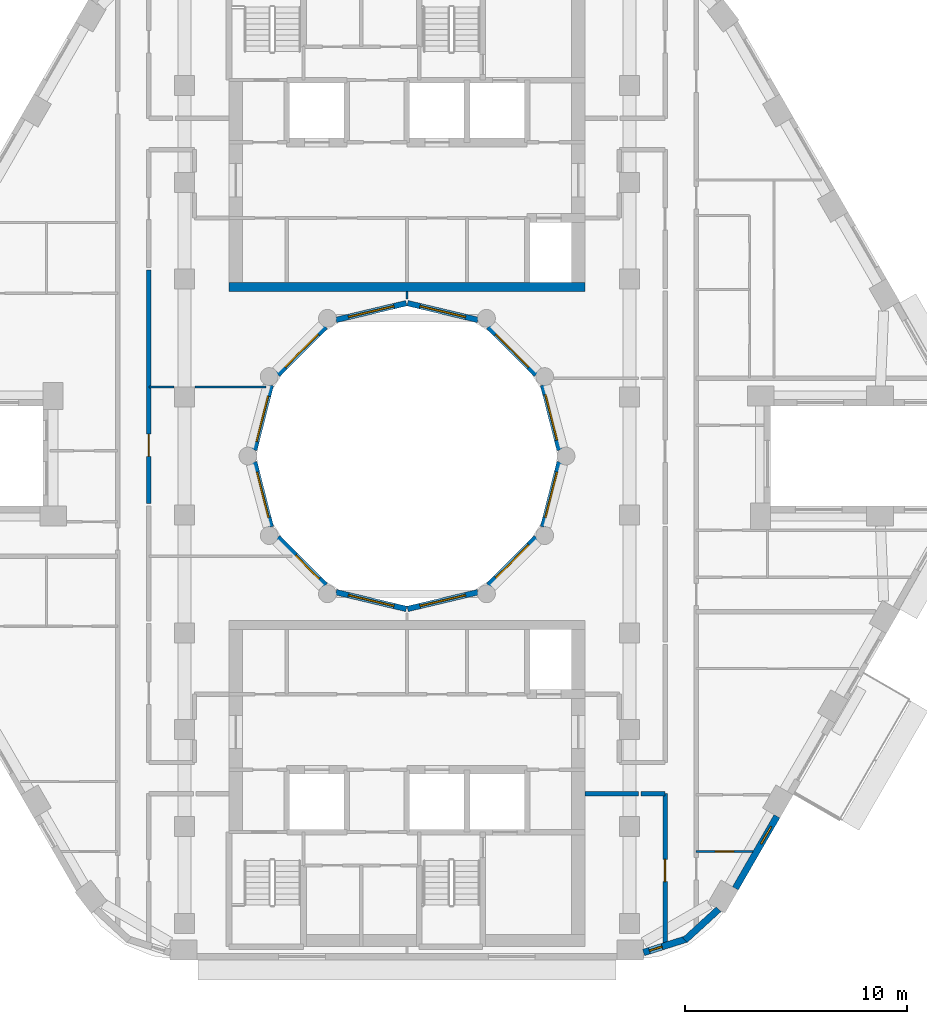
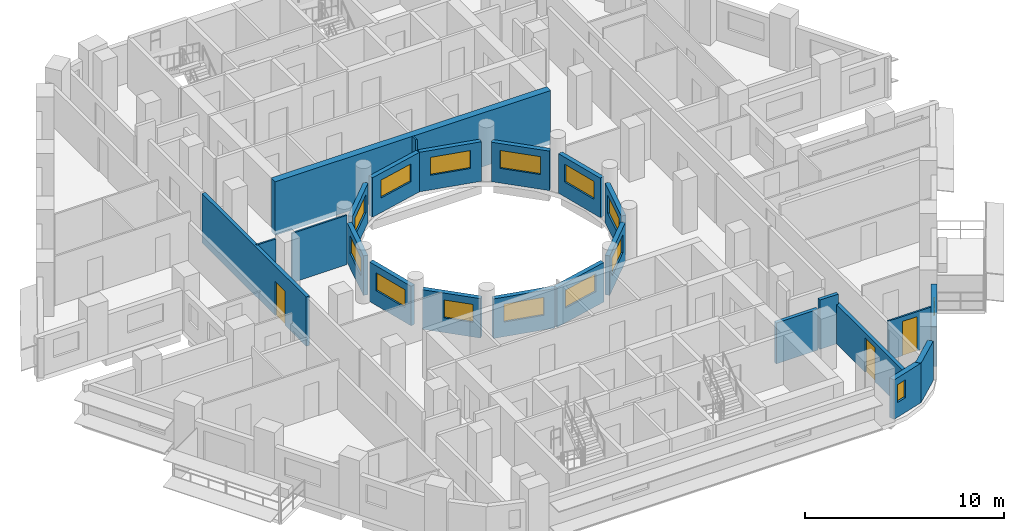
# One storey, part 5 of 16: 24 walls, 14 windows, 3 doors, 17 openings.
"""IFC4 building model written with IfcOpenShell, lengths in metres."""

from ifc_helpers import new_model, si_unit, direction, frame, frame_2d, origin, place, context, subcontext, project, spatial, rectangle, extrude, material, layer, layer_set, type_object, element, fill, save


model = new_model("IFC4")

# Units and contexts
model_context = context("Model", 3, precision=1e-05, world=origin(), true_north=direction((0.0, 1.0)))
body_context = subcontext(model_context, "Body", "Model", "MODEL_VIEW")
ifc_project = project(units=[si_unit("LENGTHUNIT", "METRE"), si_unit("AREAUNIT", "SQUARE_METRE"), si_unit("VOLUMEUNIT", "CUBIC_METRE"), si_unit("PLANEANGLEUNIT", "RADIAN"), si_unit("MASSUNIT", "GRAM", prefix="KILO")], contexts=[model_context])

# Site, building, storey
site_placement = place(None, origin())
site = spatial("IfcSite", under=ifc_project, at=site_placement, CompositionType="ELEMENT")
building_placement = place(site_placement, origin())
building = spatial("IfcBuilding", under=site, at=building_placement, Name="Nakaniwa Court", CompositionType="ELEMENT")
storey_placement = place(building_placement, frame((0.0, 0.0, 199.800048828125)))
storey = spatial("IfcBuildingStorey", under=building, at=storey_placement, Name="L52", CompositionType="ELEMENT", Elevation=199.800048828125)

# Wall, opening, door
ifc_material_1 = material(Name="Acoustic double stud partition")
ifc_layer_1 = layer(ifc_material_1, 0.199951171875)
ifc_layer_set_1 = layer_set([ifc_layer_1], Name="Acoustic double stud partition")
wall_type_1 = type_object("IfcWallType", Name="Acoustic double stud partition 200", PredefinedType="PARTITIONING", material=ifc_layer_set_1)
wall_1_placement = place(storey_placement, frame((91.60009765625, 57.92626953125, 0.0), z_axis=(0.0, 0.0, 1.0), x_axis=(0.0, 1.0, 0.0)))
wall_1 = element("IfcWall", 1, at=wall_1_placement, inside=storey, type_object=wall_type_1, Name="Partition PW-069", PredefinedType="PARTITIONING", context=body_context, shape_type="SweptSolid", body=[
    extrude(rectangle(XDim=6.898681640625, YDim=0.199951171875, at=frame_2d((3.44921875, 0.0))), origin(), (0.0, 0.0, 1.0), 2.405029296875),
])
opening_1_placement = place(wall_1_placement, frame((2.948974609375, 0.0, 0.0)))
opening_1 = element("IfcOpeningElement", 2, at=opening_1_placement, cuts=wall_1, Name="Opening D-02-01", PredefinedType="OPENING", context=body_context, shape_type="SweptSolid", body=[
    extrude(rectangle(XDim=1.0, YDim=2.10009765625, at=frame_2d((0.5, 1.050048828125))), frame((0.0, 0.10986328125, 0.0), z_axis=(0.0, -1.0, 0.0), x_axis=(1.0, 0.0, 0.0)), (0.0, 0.0, 1.0), 0.219970703125),
])
ifc_material_2 = material(Name="Solid core timber door set, black veneer", Category="wood")
door_type_1 = type_object("IfcDoorType", Name="Internal door 1000", OperationType="NOTDEFINED", PredefinedType="DOOR", material=ifc_material_2)
door_1_placement = place(opening_1_placement, origin())
door_1 = element("IfcDoor", 3, at=door_1_placement, inside=storey, type_object=door_type_1, Name="Door D-02-01 L52-025", OperationType="SINGLE_SWING_RIGHT", OverallHeight=2.10009765625, OverallWidth=1.0, PredefinedType="DOOR", context=body_context, shape_type="SweptSolid", body=[
    extrude(rectangle(XDim=1.0, YDim=2.10009765625, at=frame_2d((0.5, 1.050048828125))), frame((0.0, 0.02490234375, 0.0), z_axis=(0.0, -1.0, 0.0), x_axis=(1.0, 0.0, 0.0)), (0.0, 0.0, 1.0), 0.050048828125),
])
fill(opening_1, door_1)

# Walls
wall_2_placement = place(storey_placement, frame((88.0, 64.824951171875, 0.0), z_axis=(0.0, 0.0, 1.0), x_axis=(1.0, 0.0, 0.0)))
element("IfcWall", 4, at=wall_2_placement, inside=storey, type_object=wall_type_1, Name="Partition PW-077", PredefinedType="PARTITIONING", context=body_context, shape_type="SweptSolid", body=[
    extrude(rectangle(XDim=2.412841796875, YDim=0.199951171875, at=frame_2d((1.20654296875, 0.0))), origin(), (0.0, 0.0, 1.0), 2.5048828125),
])
wall_3_placement = place(storey_placement, frame((90.527099609375, 64.824951171875, 0.0), z_axis=(0.0, 0.0, 1.0), x_axis=(1.0, 0.0, 0.0)))
element("IfcWall", 5, at=wall_3_placement, inside=storey, type_object=wall_type_1, Name="Partition PW-078", PredefinedType="PARTITIONING", context=body_context, shape_type="SweptSolid", body=[
    extrude(rectangle(XDim=1.072998046875, YDim=0.199951171875, at=frame_2d((0.53662109375, 0.0))), origin(), (0.0, 0.0, 1.0), 3.02490234375),
])

# Wall, opening, door
wall_4_placement = place(storey_placement, frame((68.39990234375, 88.36279296875, 0.0), z_axis=(0.0, 0.0, 1.0), x_axis=(0.0, -1.0, 0.0)))
wall_4 = element("IfcWall", 6, at=wall_4_placement, inside=storey, type_object=wall_type_1, Name="Partition PW-099", PredefinedType="PARTITIONING", context=body_context, shape_type="SweptSolid", body=[
    extrude(rectangle(XDim=10.485595703125, YDim=0.199951171875, at=frame_2d((5.24267578125, 0.0))), origin(), (0.0, 0.0, 1.0), 3.02490234375),
])
opening_2_placement = place(wall_4_placement, frame((7.373046875, 0.0, 0.0)))
opening_2 = element("IfcOpeningElement", 7, at=opening_2_placement, cuts=wall_4, Name="Opening D-02-09", PredefinedType="OPENING", context=body_context, shape_type="SweptSolid", body=[
    extrude(rectangle(XDim=1.0, YDim=2.10009765625, at=frame_2d((0.5, 1.050048828125))), frame((0.0, 0.10986328125, 0.0), z_axis=(0.0, -1.0, 0.0), x_axis=(1.0, 0.0, 0.0)), (0.0, 0.0, 1.0), 0.219970703125),
])
door_2_placement = place(opening_2_placement, origin())
door_2 = element("IfcDoor", 8, at=door_2_placement, inside=storey, type_object=door_type_1, Name="Door D-02-09 L52-056", OperationType="SINGLE_SWING_LEFT", OverallHeight=2.10009765625, OverallWidth=1.0, PredefinedType="DOOR", context=body_context, shape_type="SweptSolid", body=[
    extrude(rectangle(XDim=1.0, YDim=2.10009765625, at=frame_2d((0.5, 1.050048828125))), frame((0.0, 0.02490234375, 0.0), z_axis=(0.0, -1.0, 0.0), x_axis=(1.0, 0.0, 0.0)), (0.0, 0.0, 1.0), 0.050048828125),
])
fill(opening_2, door_2)

# Wall, opening, window
ifc_material_3 = material(Name="Charcoal ceramic cladding")
ifc_layer_2 = layer(ifc_material_3, 0.02, Name="Ceramic cladding")
ifc_material_4 = material(Name="Ventilated air cavity")
ifc_layer_3 = layer(ifc_material_4, 0.04, ventilated=True, Name="Ventilated cavity")
ifc_material_5 = material(Name="Mineral wool insulation")
ifc_layer_4 = layer(ifc_material_5, 0.1, Name="Insulation")
ifc_material_6 = material(Name="Cement bonded sheathing board")
ifc_layer_5 = layer(ifc_material_6, 0.012, Name="Sheathing")
ifc_material_7 = material(Name="Cold-formed galvanised stud frame with mineral wool infill")
ifc_layer_6 = layer(ifc_material_7, 0.1, Name="Stud frame")
ifc_material_8 = material(Name="Fire-rated gypsum plasterboard lining")
ifc_layer_7 = layer(ifc_material_8, 0.028, Name="Lining")
ifc_layer_set_2 = layer_set([ifc_layer_2, ifc_layer_3, ifc_layer_4, ifc_layer_5, ifc_layer_6, ifc_layer_7], Name="Charcoal ceramic faced external wall system")
wall_type_2 = type_object("IfcWallType", Name="Black ceramic faced external wall 300", PredefinedType="SOLIDWALL", material=ifc_layer_set_2)
wall_5_placement = place(storey_placement, frame((90.6357421875, 57.684814453125, 0.0), z_axis=(0.0, 0.0, 1.0), x_axis=(0.95368324118, 0.300812691707, 0.0)))
wall_5 = element("IfcWall", 9, at=wall_5_placement, inside=storey, type_object=wall_type_2, Name="L52 external wall 27", PredefinedType="SOLIDWALL", context=body_context, shape_type="SweptSolid", body=[
    extrude(rectangle(XDim=2.053466796875, YDim=0.300048828125, at=frame_2d((1.02685546875, 0.0))), origin(), (0.0, 0.0, 1.0), 2.425048828125),
])
opening_3_placement = place(wall_5_placement, frame((0.271240234375, 0.0, 0.89990234375)))
opening_3 = element("IfcOpeningElement", 10, at=opening_3_placement, cuts=wall_5, Name="Opening W8.28", PredefinedType="OPENING", context=body_context, shape_type="SweptSolid", body=[
    extrude(rectangle(XDim=0.60009765625, YDim=1.10009765625, at=frame_2d((0.300048828125, 0.550048828125))), frame((0.0, 0.159912109375, 0.0), z_axis=(0.0, -1.0, 0.0), x_axis=(1.0, 0.0, 0.0)), (0.0, 0.0, 1.0), 0.320068359375),
])
ifc_material_9 = material(Name="Black anodised aluminium frame with dark low-E laminated double glazing", Category="aluminium")
window_type_1 = type_object("IfcWindowType", Name="Dark glass window 600x1100 sill 900", PartitioningType="SINGLE_PANEL", PredefinedType="WINDOW", material=ifc_material_9)
window_1_placement = place(opening_3_placement, origin())
window_1 = element("IfcWindow", 11, at=window_1_placement, inside=storey, type_object=window_type_1, Name="L52 habitable room window 27-0", OverallHeight=1.10009765625, OverallWidth=0.60009765625, PartitioningType="SINGLE_PANEL", PredefinedType="WINDOW", context=body_context, shape_type="SweptSolid", body=[
    extrude(rectangle(XDim=0.60009765625, YDim=1.10009765625, at=frame_2d((0.300048828125, 0.550048828125))), frame((0.0, 0.030029296875, 0.0), z_axis=(0.0, -1.0, 0.0), x_axis=(1.0, 0.0, 0.0)), (0.0, 0.0, 1.0), 0.06005859375),
])
fill(opening_3, window_1)

# Wall
wall_6_placement = place(storey_placement, frame((92.494140625, 58.243896484375, 0.0), z_axis=(0.0, 0.0, 1.0), x_axis=(0.73764876128, 0.675184645102, 0.0)))
element("IfcWall", 12, at=wall_6_placement, inside=storey, type_object=wall_type_2, Name="L52 external wall 28", PredefinedType="SOLIDWALL", context=body_context, shape_type="SweptSolid", body=[
    extrude(rectangle(XDim=2.048095703125, YDim=0.300048828125, at=frame_2d((1.02392578125, 0.0))), origin(), (0.0, 0.0, 1.0), 2.425048828125),
])

# Wall, opening, window
wall_7_placement = place(storey_placement, frame((94.760986328125, 60.566650390625, 0.0), z_axis=(0.0, 0.0, 1.0), x_axis=(0.499982088007, 0.866035745032, 0.0)))
wall_7 = element("IfcWall", 13, at=wall_7_placement, inside=storey, type_object=wall_type_2, Name="L52 external wall 29", PredefinedType="SOLIDWALL", context=body_context, shape_type="SweptSolid", body=[
    extrude(rectangle(XDim=3.744384765625, YDim=0.300048828125, at=frame_2d((1.8720703125, 0.0))), origin(), (0.0, 0.0, 1.0), 2.425048828125),
])
opening_4_placement = place(wall_7_placement, frame((2.318603515625, 0.0, 1.5)))
opening_4 = element("IfcOpeningElement", 14, at=opening_4_placement, cuts=wall_7, Name="Opening W10.29", PredefinedType="OPENING", context=body_context, shape_type="SweptSolid", body=[
    extrude(rectangle(XDim=0.89990234375, YDim=0.5, at=frame_2d((0.449951171875, 0.25))), frame((0.0, 0.159912109375, 0.0), z_axis=(0.0, -1.0, 0.0), x_axis=(1.0, 0.0, 0.0)), (0.0, 0.0, 1.0), 0.320068359375),
])
window_type_2 = type_object("IfcWindowType", Name="Dark glass window 900x500 sill 1500", PartitioningType="SINGLE_PANEL", PredefinedType="WINDOW", material=ifc_material_9)
window_2_placement = place(opening_4_placement, origin())
window_2 = element("IfcWindow", 15, at=window_2_placement, inside=storey, type_object=window_type_2, Name="L52 bathroom window 29-1", OverallHeight=0.5, OverallWidth=0.89990234375, PartitioningType="SINGLE_PANEL", PredefinedType="WINDOW", context=body_context, shape_type="SweptSolid", body=[
    extrude(rectangle(XDim=0.89990234375, YDim=0.5, at=frame_2d((0.449951171875, 0.25))), frame((0.0, 0.030029296875, 0.0), z_axis=(0.0, -1.0, 0.0), x_axis=(1.0, 0.0, 0.0)), (0.0, 0.0, 1.0), 0.06005859375),
])
fill(opening_4, window_2)

ifc_layer_8 = layer(ifc_material_3, 0.02, Name="Ceramic cladding")
ifc_layer_9 = layer(ifc_material_4, 0.04, ventilated=True, Name="Ventilated cavity")
ifc_layer_10 = layer(ifc_material_5, 0.075, Name="Insulation")
ifc_layer_11 = layer(ifc_material_6, 0.012, Name="Sheathing")
ifc_layer_12 = layer(ifc_material_7, 0.075, Name="Stud frame")
ifc_layer_13 = layer(ifc_material_8, 0.028, Name="Lining")
ifc_layer_set_3 = layer_set([ifc_layer_8, ifc_layer_9, ifc_layer_10, ifc_layer_11, ifc_layer_12, ifc_layer_13], Name="Charcoal ceramic faced external wall system")
wall_type_3 = type_object("IfcWallType", Name="Charcoal ceramic faced well wall 250", PredefinedType="SOLIDWALL", material=ifc_layer_set_3)
wall_8_placement = place(storey_placement, frame((86.8603515625, 79.72998046875, 0.0), z_axis=(0.0, 0.0, 1.0), x_axis=(-0.247055971283, -0.969001211069, 0.0)))
wall_8 = element("IfcWall", 16, at=wall_8_placement, inside=storey, type_object=wall_type_3, Name="L52 external wall 36", PredefinedType="SOLIDWALL", context=body_context, shape_type="SweptSolid", body=[
    extrude(rectangle(XDim=3.010009765625, YDim=0.25, at=frame_2d((1.5048828125, 0.0))), origin(), (0.0, 0.0, 1.0), 2.425048828125),
])
opening_5_placement = place(wall_8_placement, frame((0.46875, 0.0, 0.89990234375)))
opening_5 = element("IfcOpeningElement", 17, at=opening_5_placement, cuts=wall_8, Name="Opening W7.36", PredefinedType="OPENING", context=body_context, shape_type="SweptSolid", body=[
    extrude(rectangle(XDim=2.10009765625, YDim=1.10009765625, at=frame_2d((1.050048828125, 0.550048828125))), frame((0.0, 0.135009765625, 0.0), z_axis=(0.0, -1.0, 0.0), x_axis=(1.0, 0.0, 0.0)), (0.0, 0.0, 1.0), 0.27001953125),
])
window_type_3 = type_object("IfcWindowType", Name="Dark glass window 2100x1100 sill 900", PartitioningType="SINGLE_PANEL", PredefinedType="WINDOW", material=ifc_material_9)
window_3_placement = place(opening_5_placement, origin())
window_3 = element("IfcWindow", 18, at=window_3_placement, inside=storey, type_object=window_type_3, Name="L52 habitable room window 36-0", OverallHeight=1.10009765625, OverallWidth=2.10009765625, PartitioningType="SINGLE_PANEL", PredefinedType="WINDOW", context=body_context, shape_type="SweptSolid", body=[
    extrude(rectangle(XDim=2.10009765625, YDim=1.10009765625, at=frame_2d((1.050048828125, 0.550048828125))), frame((0.0, 0.030029296875, 0.0), z_axis=(0.0, -1.0, 0.0), x_axis=(1.0, 0.0, 0.0)), (0.0, 0.0, 1.0), 0.06005859375),
])
fill(opening_5, window_3)

wall_9_placement = place(storey_placement, frame((85.8056640625, 76.339111328125, 0.0), z_axis=(0.0, 0.0, 1.0), x_axis=(-0.707106781187, -0.707106781187, 0.0)))
wall_9 = element("IfcWall", 19, at=wall_9_placement, inside=storey, type_object=wall_type_3, Name="L52 external wall 37", PredefinedType="SOLIDWALL", context=body_context, shape_type="SweptSolid", body=[
    extrude(rectangle(XDim=3.033203125, YDim=0.25, at=frame_2d((1.5166015625, 0.0))), origin(), (0.0, 0.0, 1.0), 2.425048828125),
])
opening_6_placement = place(wall_9_placement, frame((0.466552734375, 0.0, 0.89990234375)))
opening_6 = element("IfcOpeningElement", 20, at=opening_6_placement, cuts=wall_9, Name="Opening W7.37", PredefinedType="OPENING", context=body_context, shape_type="SweptSolid", body=[
    extrude(rectangle(XDim=2.10009765625, YDim=1.10009765625, at=frame_2d((1.050048828125, 0.550048828125))), frame((0.0, 0.135009765625, 0.0), z_axis=(0.0, -1.0, 0.0), x_axis=(1.0, 0.0, 0.0)), (0.0, 0.0, 1.0), 0.27001953125),
])
window_4_placement = place(opening_6_placement, origin())
window_4 = element("IfcWindow", 21, at=window_4_placement, inside=storey, type_object=window_type_3, Name="L52 habitable room window 37-0", OverallHeight=1.10009765625, OverallWidth=2.10009765625, PartitioningType="SINGLE_PANEL", PredefinedType="WINDOW", context=body_context, shape_type="SweptSolid", body=[
    extrude(rectangle(XDim=2.10009765625, YDim=1.10009765625, at=frame_2d((1.050048828125, 0.550048828125))), frame((0.0, 0.030029296875, 0.0), z_axis=(0.0, -1.0, 0.0), x_axis=(1.0, 0.0, 0.0)), (0.0, 0.0, 1.0), 0.06005859375),
])
fill(opening_6, window_4)

wall_10_placement = place(storey_placement, frame((83.186279296875, 73.880615234375, 0.0), z_axis=(0.0, 0.0, 1.0), x_axis=(-0.972773113459, -0.231759508395, 0.0)))
wall_10 = element("IfcWall", 22, at=wall_10_placement, inside=storey, type_object=wall_type_3, Name="L52 external wall 38", PredefinedType="SOLIDWALL", context=body_context, shape_type="SweptSolid", body=[
    extrude(rectangle(XDim=3.24560546875, YDim=0.25, at=frame_2d((1.622802734375, 0.0))), origin(), (0.0, 0.0, 1.0), 2.425048828125),
])
opening_7_placement = place(wall_10_placement, frame((0.57275390625, 0.0, 0.89990234375)))
opening_7 = element("IfcOpeningElement", 23, at=opening_7_placement, cuts=wall_10, Name="Opening W7.38", PredefinedType="OPENING", context=body_context, shape_type="SweptSolid", body=[
    extrude(rectangle(XDim=2.10009765625, YDim=1.10009765625, at=frame_2d((1.050048828125, 0.550048828125))), frame((0.0, 0.135009765625, 0.0), z_axis=(0.0, -1.0, 0.0), x_axis=(1.0, 0.0, 0.0)), (0.0, 0.0, 1.0), 0.27001953125),
])
window_5_placement = place(opening_7_placement, origin())
window_5 = element("IfcWindow", 24, at=window_5_placement, inside=storey, type_object=window_type_3, Name="L52 habitable room window 38-0", OverallHeight=1.10009765625, OverallWidth=2.10009765625, PartitioningType="SINGLE_PANEL", PredefinedType="WINDOW", context=body_context, shape_type="SweptSolid", body=[
    extrude(rectangle(XDim=2.10009765625, YDim=1.10009765625, at=frame_2d((1.050048828125, 0.550048828125))), frame((0.0, 0.030029296875, 0.0), z_axis=(0.0, -1.0, 0.0), x_axis=(1.0, 0.0, 0.0)), (0.0, 0.0, 1.0), 0.06005859375),
])
fill(opening_7, window_5)

wall_11_placement = place(storey_placement, frame((79.970947265625, 73.12841796875, 0.0), z_axis=(0.0, 0.0, 1.0), x_axis=(-0.972773113459, 0.231759508395, 0.0)))
wall_11 = element("IfcWall", 25, at=wall_11_placement, inside=storey, type_object=wall_type_3, Name="L52 external wall 39", PredefinedType="SOLIDWALL", context=body_context, shape_type="SweptSolid", body=[
    extrude(rectangle(XDim=3.24560546875, YDim=0.25, at=frame_2d((1.622802734375, 0.0))), origin(), (0.0, 0.0, 1.0), 2.425048828125),
])
opening_8_placement = place(wall_11_placement, frame((0.57275390625, 0.0, 0.89990234375)))
opening_8 = element("IfcOpeningElement", 26, at=opening_8_placement, cuts=wall_11, Name="Opening W7.39", PredefinedType="OPENING", context=body_context, shape_type="SweptSolid", body=[
    extrude(rectangle(XDim=2.10009765625, YDim=1.10009765625, at=frame_2d((1.050048828125, 0.550048828125))), frame((0.0, 0.135009765625, 0.0), z_axis=(0.0, -1.0, 0.0), x_axis=(1.0, 0.0, 0.0)), (0.0, 0.0, 1.0), 0.27001953125),
])
window_6_placement = place(opening_8_placement, origin())
window_6 = element("IfcWindow", 27, at=window_6_placement, inside=storey, type_object=window_type_3, Name="L52 habitable room window 39-0", OverallHeight=1.10009765625, OverallWidth=2.10009765625, PartitioningType="SINGLE_PANEL", PredefinedType="WINDOW", context=body_context, shape_type="SweptSolid", body=[
    extrude(rectangle(XDim=2.10009765625, YDim=1.10009765625, at=frame_2d((1.050048828125, 0.550048828125))), frame((0.0, 0.030029296875, 0.0), z_axis=(0.0, -1.0, 0.0), x_axis=(1.0, 0.0, 0.0)), (0.0, 0.0, 1.0), 0.06005859375),
])
fill(opening_8, window_6)

wall_12_placement = place(storey_placement, frame((76.339111328125, 74.1943359375, 0.0), z_axis=(0.0, 0.0, 1.0), x_axis=(-0.707106781187, 0.707106781187, 0.0)))
wall_12 = element("IfcWall", 28, at=wall_12_placement, inside=storey, type_object=wall_type_3, Name="L52 external wall 40", PredefinedType="SOLIDWALL", context=body_context, shape_type="SweptSolid", body=[
    extrude(rectangle(XDim=3.033203125, YDim=0.25, at=frame_2d((1.5166015625, 0.0))), origin(), (0.0, 0.0, 1.0), 2.425048828125),
])
opening_9_placement = place(wall_12_placement, frame((0.398681640625, 0.0, 0.89990234375)))
opening_9 = element("IfcOpeningElement", 29, at=opening_9_placement, cuts=wall_12, Name="Opening W5.40", PredefinedType="OPENING", context=body_context, shape_type="SweptSolid", body=[
    extrude(rectangle(XDim=1.5, YDim=1.10009765625, at=frame_2d((0.75, 0.550048828125))), frame((0.0, 0.135009765625, 0.0), z_axis=(0.0, -1.0, 0.0), x_axis=(1.0, 0.0, 0.0)), (0.0, 0.0, 1.0), 0.27001953125),
])
window_type_4 = type_object("IfcWindowType", Name="Dark glass window 1500x1100 sill 900", PartitioningType="SINGLE_PANEL", PredefinedType="WINDOW", material=ifc_material_9)
window_7_placement = place(opening_9_placement, origin())
window_7 = element("IfcWindow", 30, at=window_7_placement, inside=storey, type_object=window_type_4, Name="L52 habitable room window 40-0", OverallHeight=1.10009765625, OverallWidth=1.5, PartitioningType="SINGLE_PANEL", PredefinedType="WINDOW", context=body_context, shape_type="SweptSolid", body=[
    extrude(rectangle(XDim=1.5, YDim=1.10009765625, at=frame_2d((0.75, 0.550048828125))), frame((0.0, 0.030029296875, 0.0), z_axis=(0.0, -1.0, 0.0), x_axis=(1.0, 0.0, 0.0)), (0.0, 0.0, 1.0), 0.06005859375),
])
fill(opening_9, window_7)

wall_13_placement = place(storey_placement, frame((73.88330078125, 76.813232421875, 0.0), z_axis=(0.0, 0.0, 1.0), x_axis=(-0.247055971283, 0.969001211069, 0.0)))
wall_13 = element("IfcWall", 31, at=wall_13_placement, inside=storey, type_object=wall_type_3, Name="L52 external wall 41", PredefinedType="SOLIDWALL", context=body_context, shape_type="SweptSolid", body=[
    extrude(rectangle(XDim=3.010009765625, YDim=0.25, at=frame_2d((1.5048828125, 0.0))), origin(), (0.0, 0.0, 1.0), 2.425048828125),
])
opening_10_placement = place(wall_13_placement, frame((0.441162109375, 0.0, 0.89990234375)))
opening_10 = element("IfcOpeningElement", 32, at=opening_10_placement, cuts=wall_13, Name="Opening W7.41", PredefinedType="OPENING", context=body_context, shape_type="SweptSolid", body=[
    extrude(rectangle(XDim=2.10009765625, YDim=1.10009765625, at=frame_2d((1.050048828125, 0.550048828125))), frame((0.0, 0.135009765625, 0.0), z_axis=(0.0, -1.0, 0.0), x_axis=(1.0, 0.0, 0.0)), (0.0, 0.0, 1.0), 0.27001953125),
])
window_8_placement = place(opening_10_placement, origin())
window_8 = element("IfcWindow", 33, at=window_8_placement, inside=storey, type_object=window_type_3, Name="L52 habitable room window 41-0", OverallHeight=1.10009765625, OverallWidth=2.10009765625, PartitioningType="SINGLE_PANEL", PredefinedType="WINDOW", context=body_context, shape_type="SweptSolid", body=[
    extrude(rectangle(XDim=2.10009765625, YDim=1.10009765625, at=frame_2d((1.050048828125, 0.550048828125))), frame((0.0, 0.030029296875, 0.0), z_axis=(0.0, -1.0, 0.0), x_axis=(1.0, 0.0, 0.0)), (0.0, 0.0, 1.0), 0.06005859375),
])
fill(opening_10, window_8)

wall_14_placement = place(storey_placement, frame((73.1396484375, 80.27001953125, 0.0), z_axis=(0.0, 0.0, 1.0), x_axis=(0.247055971283, 0.969001211069, 0.0)))
wall_14 = element("IfcWall", 34, at=wall_14_placement, inside=storey, type_object=wall_type_3, Name="L52 external wall 42", PredefinedType="SOLIDWALL", context=body_context, shape_type="SweptSolid", body=[
    extrude(rectangle(XDim=3.010009765625, YDim=0.25, at=frame_2d((1.5048828125, 0.0))), origin(), (0.0, 0.0, 1.0), 2.425048828125),
])
opening_11_placement = place(wall_14_placement, frame((0.400634765625, 0.0, 0.89990234375)))
opening_11 = element("IfcOpeningElement", 35, at=opening_11_placement, cuts=wall_14, Name="Opening W7.42", PredefinedType="OPENING", context=body_context, shape_type="SweptSolid", body=[
    extrude(rectangle(XDim=2.10009765625, YDim=1.10009765625, at=frame_2d((1.050048828125, 0.550048828125))), frame((0.0, 0.135009765625, 0.0), z_axis=(0.0, -1.0, 0.0), x_axis=(1.0, 0.0, 0.0)), (0.0, 0.0, 1.0), 0.27001953125),
])
window_9_placement = place(opening_11_placement, origin())
window_9 = element("IfcWindow", 36, at=window_9_placement, inside=storey, type_object=window_type_3, Name="L52 habitable room window 42-0", OverallHeight=1.10009765625, OverallWidth=2.10009765625, PartitioningType="SINGLE_PANEL", PredefinedType="WINDOW", context=body_context, shape_type="SweptSolid", body=[
    extrude(rectangle(XDim=2.10009765625, YDim=1.10009765625, at=frame_2d((1.050048828125, 0.550048828125))), frame((0.0, 0.030029296875, 0.0), z_axis=(0.0, -1.0, 0.0), x_axis=(1.0, 0.0, 0.0)), (0.0, 0.0, 1.0), 0.06005859375),
])
fill(opening_11, window_9)

wall_15_placement = place(storey_placement, frame((74.1943359375, 83.660888671875, 0.0), z_axis=(0.0, 0.0, 1.0), x_axis=(0.707106781187, 0.707106781187, 0.0)))
wall_15 = element("IfcWall", 37, at=wall_15_placement, inside=storey, type_object=wall_type_3, Name="L52 external wall 43", PredefinedType="SOLIDWALL", context=body_context, shape_type="SweptSolid", body=[
    extrude(rectangle(XDim=3.033203125, YDim=0.25, at=frame_2d((1.5166015625, 0.0))), origin(), (0.0, 0.0, 1.0), 2.425048828125),
])
opening_12_placement = place(wall_15_placement, frame((0.466552734375, 0.0, 0.89990234375)))
opening_12 = element("IfcOpeningElement", 38, at=opening_12_placement, cuts=wall_15, Name="Opening W7.43", PredefinedType="OPENING", context=body_context, shape_type="SweptSolid", body=[
    extrude(rectangle(XDim=2.10009765625, YDim=1.10009765625, at=frame_2d((1.050048828125, 0.550048828125))), frame((0.0, 0.135009765625, 0.0), z_axis=(0.0, -1.0, 0.0), x_axis=(1.0, 0.0, 0.0)), (0.0, 0.0, 1.0), 0.27001953125),
])
window_10_placement = place(opening_12_placement, origin())
window_10 = element("IfcWindow", 39, at=window_10_placement, inside=storey, type_object=window_type_3, Name="L52 habitable room window 43-0", OverallHeight=1.10009765625, OverallWidth=2.10009765625, PartitioningType="SINGLE_PANEL", PredefinedType="WINDOW", context=body_context, shape_type="SweptSolid", body=[
    extrude(rectangle(XDim=2.10009765625, YDim=1.10009765625, at=frame_2d((1.050048828125, 0.550048828125))), frame((0.0, 0.030029296875, 0.0), z_axis=(0.0, -1.0, 0.0), x_axis=(1.0, 0.0, 0.0)), (0.0, 0.0, 1.0), 0.06005859375),
])
fill(opening_12, window_10)

wall_16_placement = place(storey_placement, frame((76.813720703125, 86.119384765625, 0.0), z_axis=(0.0, 0.0, 1.0), x_axis=(0.972773113459, 0.231759508395, 0.0)))
wall_16 = element("IfcWall", 40, at=wall_16_placement, inside=storey, type_object=wall_type_3, Name="L52 external wall 44", PredefinedType="SOLIDWALL", context=body_context, shape_type="SweptSolid", body=[
    extrude(rectangle(XDim=3.24560546875, YDim=0.25, at=frame_2d((1.622802734375, 0.0))), origin(), (0.0, 0.0, 1.0), 2.425048828125),
])
opening_13_placement = place(wall_16_placement, frame((0.57275390625, 0.0, 0.89990234375)))
opening_13 = element("IfcOpeningElement", 41, at=opening_13_placement, cuts=wall_16, Name="Opening W7.44", PredefinedType="OPENING", context=body_context, shape_type="SweptSolid", body=[
    extrude(rectangle(XDim=2.10009765625, YDim=1.10009765625, at=frame_2d((1.050048828125, 0.550048828125))), frame((0.0, 0.135009765625, 0.0), z_axis=(0.0, -1.0, 0.0), x_axis=(1.0, 0.0, 0.0)), (0.0, 0.0, 1.0), 0.27001953125),
])
window_11_placement = place(opening_13_placement, origin())
window_11 = element("IfcWindow", 42, at=window_11_placement, inside=storey, type_object=window_type_3, Name="L52 habitable room window 44-0", OverallHeight=1.10009765625, OverallWidth=2.10009765625, PartitioningType="SINGLE_PANEL", PredefinedType="WINDOW", context=body_context, shape_type="SweptSolid", body=[
    extrude(rectangle(XDim=2.10009765625, YDim=1.10009765625, at=frame_2d((1.050048828125, 0.550048828125))), frame((0.0, 0.030029296875, 0.0), z_axis=(0.0, -1.0, 0.0), x_axis=(1.0, 0.0, 0.0)), (0.0, 0.0, 1.0), 0.06005859375),
])
fill(opening_13, window_11)

wall_17_placement = place(storey_placement, frame((80.029052734375, 86.87158203125, 0.0), z_axis=(0.0, 0.0, 1.0), x_axis=(0.972773113459, -0.231759508395, 0.0)))
wall_17 = element("IfcWall", 43, at=wall_17_placement, inside=storey, type_object=wall_type_3, Name="L52 external wall 45", PredefinedType="SOLIDWALL", context=body_context, shape_type="SweptSolid", body=[
    extrude(rectangle(XDim=3.24560546875, YDim=0.25, at=frame_2d((1.622802734375, 0.0))), origin(), (0.0, 0.0, 1.0), 2.425048828125),
])
opening_14_placement = place(wall_17_placement, frame((0.57275390625, 0.0, 0.89990234375)))
opening_14 = element("IfcOpeningElement", 44, at=opening_14_placement, cuts=wall_17, Name="Opening W7.45", PredefinedType="OPENING", context=body_context, shape_type="SweptSolid", body=[
    extrude(rectangle(XDim=2.10009765625, YDim=1.10009765625, at=frame_2d((1.050048828125, 0.550048828125))), frame((0.0, 0.135009765625, 0.0), z_axis=(0.0, -1.0, 0.0), x_axis=(1.0, 0.0, 0.0)), (0.0, 0.0, 1.0), 0.27001953125),
])
window_12_placement = place(opening_14_placement, origin())
window_12 = element("IfcWindow", 45, at=window_12_placement, inside=storey, type_object=window_type_3, Name="L52 habitable room window 45-0", OverallHeight=1.10009765625, OverallWidth=2.10009765625, PartitioningType="SINGLE_PANEL", PredefinedType="WINDOW", context=body_context, shape_type="SweptSolid", body=[
    extrude(rectangle(XDim=2.10009765625, YDim=1.10009765625, at=frame_2d((1.050048828125, 0.550048828125))), frame((0.0, 0.030029296875, 0.0), z_axis=(0.0, -1.0, 0.0), x_axis=(1.0, 0.0, 0.0)), (0.0, 0.0, 1.0), 0.06005859375),
])
fill(opening_14, window_12)

wall_18_placement = place(storey_placement, frame((83.660888671875, 85.8056640625, 0.0), z_axis=(0.0, 0.0, 1.0), x_axis=(0.707106781187, -0.707106781187, 0.0)))
wall_18 = element("IfcWall", 46, at=wall_18_placement, inside=storey, type_object=wall_type_3, Name="L52 external wall 46", PredefinedType="SOLIDWALL", context=body_context, shape_type="SweptSolid", body=[
    extrude(rectangle(XDim=3.033203125, YDim=0.25, at=frame_2d((1.5166015625, 0.0))), origin(), (0.0, 0.0, 1.0), 2.425048828125),
])
opening_15_placement = place(wall_18_placement, frame((0.466552734375, 0.0, 0.89990234375)))
opening_15 = element("IfcOpeningElement", 47, at=opening_15_placement, cuts=wall_18, Name="Opening W7.46", PredefinedType="OPENING", context=body_context, shape_type="SweptSolid", body=[
    extrude(rectangle(XDim=2.10009765625, YDim=1.10009765625, at=frame_2d((1.050048828125, 0.550048828125))), frame((0.0, 0.135009765625, 0.0), z_axis=(0.0, -1.0, 0.0), x_axis=(1.0, 0.0, 0.0)), (0.0, 0.0, 1.0), 0.27001953125),
])
window_13_placement = place(opening_15_placement, origin())
window_13 = element("IfcWindow", 48, at=window_13_placement, inside=storey, type_object=window_type_3, Name="L52 habitable room window 46-0", OverallHeight=1.10009765625, OverallWidth=2.10009765625, PartitioningType="SINGLE_PANEL", PredefinedType="WINDOW", context=body_context, shape_type="SweptSolid", body=[
    extrude(rectangle(XDim=2.10009765625, YDim=1.10009765625, at=frame_2d((1.050048828125, 0.550048828125))), frame((0.0, 0.030029296875, 0.0), z_axis=(0.0, -1.0, 0.0), x_axis=(1.0, 0.0, 0.0)), (0.0, 0.0, 1.0), 0.06005859375),
])
fill(opening_15, window_13)

wall_19_placement = place(storey_placement, frame((86.11669921875, 83.186767578125, 0.0), z_axis=(0.0, 0.0, 1.0), x_axis=(0.247055971283, -0.969001211069, 0.0)))
wall_19 = element("IfcWall", 49, at=wall_19_placement, inside=storey, type_object=wall_type_3, Name="L52 external wall 47", PredefinedType="SOLIDWALL", context=body_context, shape_type="SweptSolid", body=[
    extrude(rectangle(XDim=3.010009765625, YDim=0.25, at=frame_2d((1.5048828125, 0.0))), origin(), (0.0, 0.0, 1.0), 2.425048828125),
])
opening_16_placement = place(wall_19_placement, frame((0.441162109375, 0.0, 0.89990234375)))
opening_16 = element("IfcOpeningElement", 50, at=opening_16_placement, cuts=wall_19, Name="Opening W7.47", PredefinedType="OPENING", context=body_context, shape_type="SweptSolid", body=[
    extrude(rectangle(XDim=2.10009765625, YDim=1.10009765625, at=frame_2d((1.050048828125, 0.550048828125))), frame((0.0, 0.135009765625, 0.0), z_axis=(0.0, -1.0, 0.0), x_axis=(1.0, 0.0, 0.0)), (0.0, 0.0, 1.0), 0.27001953125),
])
window_14_placement = place(opening_16_placement, origin())
window_14 = element("IfcWindow", 51, at=window_14_placement, inside=storey, type_object=window_type_3, Name="L52 habitable room window 47-0", OverallHeight=1.10009765625, OverallWidth=2.10009765625, PartitioningType="SINGLE_PANEL", PredefinedType="WINDOW", context=body_context, shape_type="SweptSolid", body=[
    extrude(rectangle(XDim=2.10009765625, YDim=1.10009765625, at=frame_2d((1.050048828125, 0.550048828125))), frame((0.0, 0.030029296875, 0.0), z_axis=(0.0, -1.0, 0.0), x_axis=(1.0, 0.0, 0.0)), (0.0, 0.0, 1.0), 0.06005859375),
])
fill(opening_16, window_14)

# Walls
ifc_material_10 = material(Name="Concrete C80/100", Category="concrete")
ifc_layer_14 = layer(ifc_material_10, 0.39990234375)
ifc_layer_set_4 = layer_set([ifc_layer_14], Name="Concrete C80/100")
wall_type_4 = type_object("IfcWallType", Name="Concrete core well wall 400 C80", PredefinedType="SHEAR", material=ifc_layer_set_4)
wall_20_placement = place(storey_placement, frame((72.00390625, 87.60009765625, -0.275146484375), z_axis=(0.0, 0.0, 1.0), x_axis=(1.0, 0.0, 0.0)))
element("IfcWall", 52, at=wall_20_placement, inside=storey, type_object=wall_type_4, Name="Core wall SW-140", PredefinedType="SHEAR", context=body_context, shape_type="SweptSolid", body=[
    extrude(rectangle(XDim=15.9921875, YDim=0.39990234375, at=frame_2d((7.99609375, 0.0))), origin(), (0.0, 0.0, 1.0), 3.300048828125),
])
ifc_material_11 = material(Name="Single stud plasterboard partition")
ifc_layer_15 = layer(ifc_material_11, 0.10009765625)
ifc_layer_set_5 = layer_set([ifc_layer_15], Name="Single stud plasterboard partition")
wall_type_5 = type_object("IfcWallType", Name="Single stud plasterboard partition 100", PredefinedType="PARTITIONING", material=ifc_layer_set_5)
wall_21_placement = place(storey_placement, frame((80.0, 87.048095703125, 0.0), z_axis=(0.0, 0.0, 1.0), x_axis=(0.0, 1.0, 0.0)))
element("IfcWall", 53, at=wall_21_placement, inside=storey, type_object=wall_type_5, Name="Partition PW-109", PredefinedType="PARTITIONING", context=body_context, shape_type="SweptSolid", body=[
    extrude(rectangle(XDim=0.351806640625, YDim=0.10009765625, at=frame_2d((0.17578125, 0.0))), origin(), (0.0, 0.0, 1.0), 3.02490234375),
])

# Wall, opening, door
wall_22_placement = place(storey_placement, frame((93.0009765625, 62.22509765625, 0.0), z_axis=(0.0, 0.0, 1.0), x_axis=(1.0, 0.0, 0.0)))
wall_22 = element("IfcWall", 54, at=wall_22_placement, inside=storey, type_object=wall_type_5, Name="Partition PW-112", PredefinedType="PARTITIONING", context=body_context, shape_type="SweptSolid", body=[
    extrude(rectangle(XDim=2.544189453125, YDim=0.10009765625, at=frame_2d((1.27197265625, 0.0))), origin(), (0.0, 0.0, 1.0), 2.405029296875),
])
opening_17_placement = place(wall_22_placement, frame((0.846923828125, 0.0, 0.0)))
opening_17 = element("IfcOpeningElement", 55, at=opening_17_placement, cuts=wall_22, Name="Opening D-03-01", PredefinedType="OPENING", context=body_context, shape_type="SweptSolid", body=[
    extrude(rectangle(XDim=0.85009765625, YDim=2.10009765625, at=frame_2d((0.425048828125, 1.050048828125))), frame((0.0, 0.06005859375, 0.0), z_axis=(0.0, -1.0, 0.0), x_axis=(1.0, 0.0, 0.0)), (0.0, 0.0, 1.0), 0.1201171875),
])
ifc_material_12 = material(Name="Moisture sealed timber door set", Category="wood")
door_type_2 = type_object("IfcDoorType", Name="Bathroom door 850", OperationType="NOTDEFINED", PredefinedType="DOOR", material=ifc_material_12)
door_3_placement = place(opening_17_placement, origin())
door_3 = element("IfcDoor", 56, at=door_3_placement, inside=storey, type_object=door_type_2, Name="Door D-03-01 L52-027", OperationType="SINGLE_SWING_RIGHT", OverallHeight=2.10009765625, OverallWidth=0.85009765625, PredefinedType="DOOR", context=body_context, shape_type="SweptSolid", body=[
    extrude(rectangle(XDim=0.85009765625, YDim=2.10009765625, at=frame_2d((0.425048828125, 1.050048828125))), frame((0.0, 0.02490234375, 0.0), z_axis=(0.0, -1.0, 0.0), x_axis=(1.0, 0.0, 0.0)), (0.0, 0.0, 1.0), 0.050048828125),
])
fill(opening_17, door_3)

# Walls
wall_23_placement = place(storey_placement, frame((68.40087890625, 83.10009765625, 0.0), z_axis=(0.0, 0.0, 1.0), x_axis=(1.0, 0.0, 0.0)))
element("IfcWall", 57, at=wall_23_placement, inside=storey, type_object=wall_type_5, Name="Partition PW-138", PredefinedType="PARTITIONING", context=body_context, shape_type="SweptSolid", body=[
    extrude(rectangle(XDim=1.129150390625, YDim=0.10009765625, at=frame_2d((0.564453125, 0.0))), origin(), (0.0, 0.0, 1.0), 3.02490234375),
])
wall_24_placement = place(storey_placement, frame((70.469970703125, 83.10009765625, 0.0), z_axis=(0.0, 0.0, 1.0), x_axis=(1.0, 0.0, 0.0)))
element("IfcWall", 58, at=wall_24_placement, inside=storey, type_object=wall_type_5, Name="Partition PW-139", PredefinedType="PARTITIONING", context=body_context, shape_type="SweptSolid", body=[
    extrude(rectangle(XDim=3.20166015625, YDim=0.10009765625, at=frame_2d((1.600830078125, 0.0))), origin(), (0.0, 0.0, 1.0), 3.02490234375),
])

save(model, "model.ifc")
